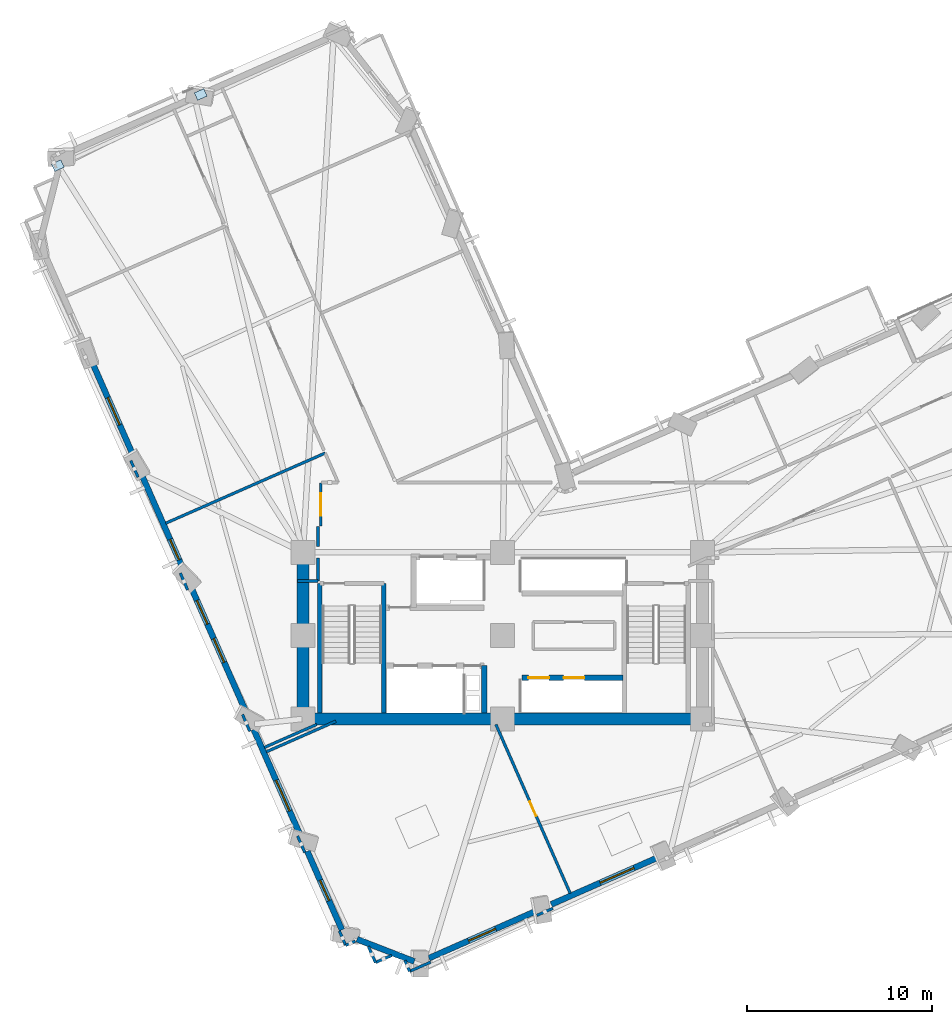
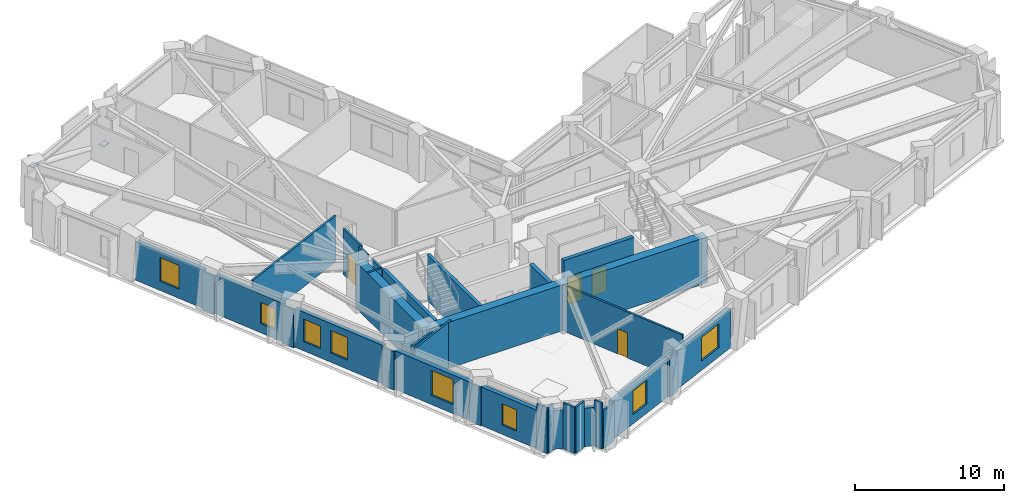
# One storey, part 7 of 15: 34 walls, 8 windows, 4 doors, 2 plates, 12 openings.
"""IFC4 building model written with IfcOpenShell, lengths in metres."""

import ifcopenshell
import ifcopenshell.guid

model = None  # the IFC model being written
_history = None  # IfcOwnerHistory: only IFC2X3 demands one
_inside = {}  # id of a spatial element -> (the spatial element, [elements in it])
_under = {}  # id of a project, library or spatial element -> (it, [spatial elements below it])
_declared = {}  # id of a project -> (the project, [libraries it declares])
_typed = {}  # id of a type object -> (the type object, [elements of that type])
_made_of = {}  # id of a material, layer set ... -> (it, [elements and type objects made of it])


def new_model(schema):
    """Start an empty IFC model of exactly this schema.

    Asked for "IFC4X3", IfcOpenShell would pick the latest addendum, in which some entities
    have other attributes; the version numbers below select the first issue.
    IFC2X3 requires an IfcOwnerHistory on every rooted entity: one is made here for all.
    """
    global model, _history
    if schema == "IFC4X3":
        model = ifcopenshell.file(schema_version=(4, 3, 0, 0))
    else:
        model = ifcopenshell.file(schema=schema)
    _inside.clear()
    _under.clear()
    _declared.clear()
    _typed.clear()
    _made_of.clear()
    _history = None
    if model.schema == "IFC2X3":
        org = make("IfcOrganization", Name="unknown")
        user = make(
            "IfcPersonAndOrganization",
            ThePerson=make("IfcPerson", FamilyName="unknown"),
            TheOrganization=org,
        )
        app = make(
            "IfcApplication",
            ApplicationDeveloper=org,
            Version="unknown",
            ApplicationFullName="unknown",
            ApplicationIdentifier="unknown",
        )
        _history = make(
            "IfcOwnerHistory",
            OwningUser=user,
            OwningApplication=app,
            ChangeAction="ADDED",
            CreationDate=0,
        )
    return model


def make(cls, **values):
    """One entity of the class cls with the attributes given. An attribute that is None is left unset."""
    return model.create_entity(
        cls, **{name: value for name, value in values.items() if value is not None}
    )


def rooted(cls, **values):
    """An entity with a GlobalId (a new one), such as an element, a storey or a relation."""
    return make(cls, GlobalId=ifcopenshell.guid.new(), OwnerHistory=_history, **values)


def si_unit(unit_type, name, prefix=None):
    """IfcSIUnit, for example si_unit("LENGTHUNIT", "METRE", prefix="MILLI")."""
    return make("IfcSIUnit", UnitType=unit_type, Prefix=prefix, Name=name)


def assignment(units):
    """IfcUnitAssignment: the units of a project."""
    return None if units is None else make("IfcUnitAssignment", Units=units)


def point(xyz):
    """IfcCartesianPoint."""
    return None if xyz is None else make("IfcCartesianPoint", Coordinates=xyz)


def direction(xyz):
    """IfcDirection."""
    return None if xyz is None else make("IfcDirection", DirectionRatios=xyz)


def frame(location, z_axis=None, x_axis=None):
    """IfcAxis2Placement3D, a coordinate frame: its origin and axes. An axis left out is left unset."""
    return make(
        "IfcAxis2Placement3D",
        Location=point(location),
        Axis=direction(z_axis),
        RefDirection=direction(x_axis),
    )


def frame_2d(location, x_axis=None):
    """IfcAxis2Placement2D, a coordinate frame in the plane: its origin and x axis."""
    return make(
        "IfcAxis2Placement2D", Location=point(location), RefDirection=direction(x_axis)
    )


def origin():
    """The frame at (0, 0, 0) with its axes left unset."""
    return frame((0.0, 0.0, 0.0))


def origin_2d():
    """The frame at (0, 0) in the plane with its x axis left unset."""
    return frame_2d((0.0, 0.0))


def place(relative_to, where):
    """IfcLocalPlacement: puts the frame where relative to a parent placement (None: the world)."""
    return make(
        "IfcLocalPlacement", PlacementRelTo=relative_to, RelativePlacement=where
    )


def context(
    kind, dimensions, precision=None, world=None, true_north=None, identifier=None
):
    """IfcGeometricRepresentationContext, for example the 3D "Model" context."""
    return make(
        "IfcGeometricRepresentationContext",
        ContextIdentifier=identifier,
        ContextType=kind,
        CoordinateSpaceDimension=dimensions,
        Precision=precision,
        WorldCoordinateSystem=world,
        TrueNorth=true_north,
    )


def subcontext(parent, identifier, kind, view, scale=None):
    """IfcGeometricRepresentationSubContext, for example "Body" below "Model"."""
    return make(
        "IfcGeometricRepresentationSubContext",
        ContextIdentifier=identifier,
        ContextType=kind,
        ParentContext=parent,
        TargetScale=scale,
        TargetView=view,
    )


def project(units=None, contexts=None):
    """IfcProject with its units and contexts."""
    return rooted(
        "IfcProject",
        Name="project",
        RepresentationContexts=contexts,
        UnitsInContext=assignment(units),
    )


def spatial(cls, under=None, at=None, **own):
    """A site, building, storey or space (cls), placed at a placement, below another one or the project."""
    s = rooted(cls, ObjectPlacement=at, **own)
    if under is not None:
        _under.setdefault(under.id(), (under, []))[1].append(s)
    return s


def profile(cls, at=None, kind="AREA", **sizes):
    """A parametric profile (cls). Its sizes go by their IFC names, for example OverallWidth=200.0."""
    return make(cls, ProfileType=kind, Position=at, **sizes)


def rectangle(**sizes):
    """IfcRectangleProfileDef."""
    return profile("IfcRectangleProfileDef", **sizes)


def extrude(swept, where, along, depth):
    """IfcExtrudedAreaSolid: the profile swept, set in the frame where, extruded along a direction by depth."""
    return make(
        "IfcExtrudedAreaSolid",
        SweptArea=swept,
        Position=where,
        ExtrudedDirection=direction(along),
        Depth=depth,
    )


def shape(context_of_items, identifier, shape_type, items):
    """IfcShapeRepresentation: the items that make up one representation, for example the "Body"."""
    return make(
        "IfcShapeRepresentation",
        ContextOfItems=context_of_items,
        RepresentationIdentifier=identifier,
        RepresentationType=shape_type,
        Items=items,
    )


def material(Name=None, Category=None):
    """IfcMaterial."""
    return make("IfcMaterial", Name=Name, Category=Category)


def layer(
    of_material, thickness, ventilated=None, Name=None, Category=None, Priority=None
):
    """IfcMaterialLayer: one layer of a wall or slab, of a material (None: an air gap)."""
    return make(
        "IfcMaterialLayer",
        Material=of_material,
        LayerThickness=thickness,
        IsVentilated=ventilated,
        Name=Name,
        Category=Category,
        Priority=Priority,
    )


def layer_set(layers, Name=None):
    """IfcMaterialLayerSet."""
    return make("IfcMaterialLayerSet", MaterialLayers=layers, LayerSetName=Name)


def made_of(thing, what):
    """Note that an element or type object is made of a material, layer set ...; save() writes the relation."""
    if what is not None:
        _made_of.setdefault(what.id(), (what, []))[1].append(thing)
    return thing


def type_object(cls, material=None, **own):
    """A type object (cls), such as IfcWallType, which elements share."""
    return made_of(rooted(cls, **own), material)


def element(
    cls,
    number,
    at=None,
    inside=None,
    cuts=None,
    type_object=None,
    material=None,
    context=None,
    identifier="Body",
    shape_type=None,
    held_by="IfcProductDefinitionShape",
    body=None,
    shapes=None,
    **own,
):
    """One element of the class cls, such as IfcWall. Its Tag is "e" and its number.

    at: its placement. inside: the storey or other place that contains it. cuts: it is an
    opening in that element (IfcRelVoidsElement). A single representation is given by context,
    identifier, shape_type and body (its items); several are given by shapes. held_by: the class
    of the entity that holds the representations. save() writes the other relations.
    """
    e = rooted(cls, Tag="e%d" % number, ObjectPlacement=at, **own)
    if body is not None:
        shapes = [shape(context, identifier, shape_type, body)]
    if shapes is not None:
        e.Representation = make(held_by, Representations=shapes)
    if inside is not None:
        _inside.setdefault(inside.id(), (inside, []))[1].append(e)
    if cuts is not None:
        rooted(
            "IfcRelVoidsElement", RelatingBuildingElement=cuts, RelatedOpeningElement=e
        )
    if type_object is not None:
        _typed.setdefault(type_object.id(), (type_object, []))[1].append(e)
    return made_of(e, material)


def fill(opening, filler):
    """IfcRelFillsElement: the door or window that sits in an opening."""
    return rooted(
        "IfcRelFillsElement",
        RelatingOpeningElement=opening,
        RelatedBuildingElement=filler,
    )


def aggregate(whole, parts):
    """IfcRelAggregates: a whole, such as a stair, and the parts it consists of."""
    return rooted("IfcRelAggregates", RelatingObject=whole, RelatedObjects=parts)


def save(model, path):
    """Write the relations noted so far, then the file.

    IfcRelAggregates (storeys below a building ...), IfcRelContainedInSpatialStructure (elements
    in a storey), IfcRelDefinesByType, IfcRelAssociatesMaterial and IfcRelDeclares: one each for
    every whole, place, type object, material and project.
    """
    for whole, parts in _under.values():
        aggregate(whole, parts)
    for where, things in _inside.values():
        rooted(
            "IfcRelContainedInSpatialStructure",
            RelatedElements=things,
            RelatingStructure=where,
        )
    for kind, things in _typed.values():
        rooted("IfcRelDefinesByType", RelatedObjects=things, RelatingType=kind)
    for what, things in _made_of.values():
        rooted("IfcRelAssociatesMaterial", RelatedObjects=things, RelatingMaterial=what)
    for by, libraries in _declared.values():
        rooted("IfcRelDeclares", RelatingContext=by, RelatedDefinitions=libraries)
    model.write(path)


model = new_model("IFC4")

# Units and contexts
model_context = context("Model", 3, precision=1e-05, world=origin(), true_north=direction((0.0, 1.0)))
body_context = subcontext(model_context, "Body", "Model", "MODEL_VIEW")
ifc_project = project(units=[si_unit("LENGTHUNIT", "METRE"), si_unit("AREAUNIT", "SQUARE_METRE"), si_unit("VOLUMEUNIT", "CUBIC_METRE"), si_unit("PLANEANGLEUNIT", "RADIAN"), si_unit("MASSUNIT", "GRAM", prefix="KILO")], contexts=[model_context])

# Site, building, storey
site_placement = place(None, origin())
site = spatial("IfcSite", under=ifc_project, at=site_placement, CompositionType="ELEMENT")
building_placement = place(site_placement, origin())
building = spatial("IfcBuilding", under=site, at=building_placement, Name="Gaonmaruhae Medical Tower", CompositionType="ELEMENT")
storey_placement = place(building_placement, frame((0.0, 0.0, 124.39990234375)))
storey = spatial("IfcBuildingStorey", under=building, at=storey_placement, Name="L29", CompositionType="ELEMENT", Elevation=124.39990234375)

# Plates
ifc_material_1 = material(Name="Steel HSA650 (650 MPa)", Category="steel")
ifc_layer_1 = layer(ifc_material_1, 0.028076171875)
ifc_layer_set_1 = layer_set([ifc_layer_1], Name="Steel HSA650 (650 MPa)")
plate_type = type_object("IfcPlateType", Name="GP-02 Tube Brace End Cap Gusset Plate", PredefinedType="USERDEFINED", material=ifc_layer_set_1)
for number, where, z_axis, x_axis, name in (
    (1, (8.476318359375, 41.550048828125, 0.23583984375), (0.0, 0.0, 1.0), (0.915311479119, 0.402746689859, 0.0), "L29 Gusset Cap Plate PLT-L29-PBR-N02A"),
    (2, (0.752197265625, 37.70458984375, 3.51611328125), (0.0, 0.0, 1.0), (0.908508177527, 0.417867073801, 0.0), "L29 Gusset Cap Plate PLT-L29-PBR-N02B"),
):
    element("IfcPlate", number, at=place(storey_placement, frame(where, z_axis=z_axis, x_axis=x_axis)), inside=storey, type_object=plate_type, Name=name, ObjectType="GUSSET_PLATE", PredefinedType="USERDEFINED", context=body_context, shape_type="SweptSolid", body=[
        extrude(rectangle(XDim=0.56005859375, YDim=0.43994140625, at=origin_2d()), origin(), (0.0, 0.0, 1.0), 0.028076171875),
    ])

# Walls
ifc_material_2 = material(Name="Concrete C60/75", Category="concrete")
ifc_layer_2 = layer(ifc_material_2, 0.64990234375)
ifc_layer_set_2 = layer_set([ifc_layer_2], Name="Concrete C60/75")
wall_type_1 = type_object("IfcWallType", Name="CW-650 Zone 2 Core Shear Wall", PredefinedType="SHEAR", material=ifc_layer_set_2)
for number, where, z_axis, x_axis, name in (
    (3, (14.0, 7.800048828125, 0.0), (0.0, 0.0, 1.0), (1.0, 0.0, 0.0), "L29 Core Shear Wall CSW-S1"),
    (4, (24.800048828125, 7.800048828125, 0.0), (0.0, 0.0, 1.0), (1.0, 0.0, 0.0), "L29 Core Shear Wall CSW-S2"),
):
    element("IfcWall", number, at=place(storey_placement, frame(where, z_axis=z_axis, x_axis=x_axis)), inside=storey, type_object=wall_type_1, Name=name, PredefinedType="SHEAR", context=body_context, shape_type="SweptSolid", body=[
        extrude(rectangle(XDim=10.800048828125, YDim=0.64990234375, at=frame_2d((5.39990234375, 0.0))), origin(), (0.0, 0.0, 1.0), 3.780029296875),
    ])
wall_1_placement = place(storey_placement, frame((14.0, 16.800048828125, 0.0), z_axis=(0.0, 0.0, 1.0), x_axis=(0.0, -1.0, 0.0)))
element("IfcWall", 5, at=wall_1_placement, inside=storey, type_object=wall_type_1, Name="L29 Core Shear Wall CSW-W1", PredefinedType="SHEAR", context=body_context, shape_type="SweptSolid", body=[
    extrude(rectangle(XDim=9.0, YDim=0.64990234375, at=frame_2d((4.5, 0.0))), origin(), (0.0, 0.0, 1.0), 3.780029296875),
])

# Wall, opening, window
ifc_material_3 = material(Name="Precast concrete C45/55", Category="concrete")
ifc_layer_3 = layer(ifc_material_3, 0.320068359375)
ifc_layer_set_3 = layer_set([ifc_layer_3], Name="Precast concrete C45/55")
wall_type_2 = type_object("IfcWallType", Name="EW-320 Lower Precast Masonry-Frame Facade Wall", PredefinedType="SOLIDWALL", material=ifc_layer_set_3)
wall_2_placement = place(storey_placement, frame((26.55224609375, -2.60986328125, 0.0), z_axis=(0.0, 0.0, 1.0), x_axis=(-0.915316180725, -0.402736004477, 0.0)))
wall_2 = element("IfcWall", 6, at=wall_2_placement, inside=storey, type_object=wall_type_2, Name="L29 Precast Masonry-Frame Wall S01-S02", PredefinedType="SOLIDWALL", context=body_context, shape_type="SweptSolid", body=[
    extrude(rectangle(XDim=6.27001953125, YDim=0.320068359375, at=frame_2d((3.135009765625, 0.0))), origin(), (0.0, 0.0, 1.0), 3.1650390625),
])
opening_1_placement = place(wall_2_placement, frame((2.329345703125, 0.0, 0.75)))
opening_1 = element("IfcOpeningElement", 7, at=opening_1_placement, cuts=wall_2, Name="Opening WN-01", PredefinedType="OPENING", context=body_context, shape_type="SweptSolid", body=[
    extrude(rectangle(XDim=1.60009765625, YDim=1.949951171875, at=frame_2d((0.800048828125, 0.97509765625))), frame((0.0, 0.169921875, 0.0), z_axis=(0.0, -1.0, 0.0), x_axis=(1.0, 0.0, 0.0)), (0.0, 0.0, 1.0), 0.340087890625),
])
ifc_material_4 = material(Name="Anodised aluminium and Low-E double glazing", Category="aluminium")
window_type_1 = type_object("IfcWindowType", Name="WN-01 Ward Punched Acoustic Window 1600x1950", PartitioningType="SINGLE_PANEL", PredefinedType="WINDOW", material=ifc_material_4)
window_1_placement = place(opening_1_placement, origin())
window_1 = element("IfcWindow", 8, at=window_1_placement, inside=storey, type_object=window_type_1, Name="L29 Modular Facade Window S01", OverallHeight=1.949951171875, OverallWidth=1.60009765625, PartitioningType="SINGLE_PANEL", PredefinedType="WINDOW", context=body_context, shape_type="SweptSolid", body=[
    extrude(rectangle(XDim=1.60009765625, YDim=1.949951171875, at=frame_2d((0.800048828125, 0.97509765625))), frame((0.0, 0.030029296875, 0.0), z_axis=(0.0, -1.0, 0.0), x_axis=(1.0, 0.0, 0.0)), (0.0, 0.0, 1.0), 0.06005859375),
])
fill(opening_1, window_1)

wall_3_placement = place(storey_placement, frame((33.12939453125, 0.2841796875, 0.0), z_axis=(0.0, 0.0, 1.0), x_axis=(-0.91531676475, -0.402734677136, 0.0)))
wall_3 = element("IfcWall", 9, at=wall_3_placement, inside=storey, type_object=wall_type_2, Name="L29 Precast Masonry-Frame Wall S02-S03", PredefinedType="SOLIDWALL", context=body_context, shape_type="SweptSolid", body=[
    extrude(rectangle(XDim=6.234130859375, YDim=0.320068359375, at=frame_2d((3.1171875, 0.0))), origin(), (0.0, 0.0, 1.0), 3.1650390625),
])
opening_2_placement = place(wall_3_placement, frame((1.344482421875, 0.0, 0.75)))
opening_2 = element("IfcOpeningElement", 10, at=opening_2_placement, cuts=wall_3, Name="Opening WN-02", PredefinedType="OPENING", context=body_context, shape_type="SweptSolid", body=[
    extrude(rectangle(XDim=2.0, YDim=1.949951171875, at=frame_2d((1.0, 0.97509765625))), frame((0.0, 0.169921875, 0.0), z_axis=(0.0, -1.0, 0.0), x_axis=(1.0, 0.0, 0.0)), (0.0, 0.0, 1.0), 0.340087890625),
])
window_type_2 = type_object("IfcWindowType", Name="WN-02 Double-Bed Ward Punched Window 2000x1950", PartitioningType="SINGLE_PANEL", PredefinedType="WINDOW", material=ifc_material_4)
window_2_placement = place(opening_2_placement, origin())
window_2 = element("IfcWindow", 11, at=window_2_placement, inside=storey, type_object=window_type_2, Name="L29 Modular Facade Window S02", OverallHeight=1.949951171875, OverallWidth=2.0, PartitioningType="SINGLE_PANEL", PredefinedType="WINDOW", context=body_context, shape_type="SweptSolid", body=[
    extrude(rectangle(XDim=2.0, YDim=1.949951171875, at=frame_2d((1.0, 0.97509765625))), frame((0.0, 0.030029296875, 0.0), z_axis=(0.0, -1.0, 0.0), x_axis=(1.0, 0.0, 0.0)), (0.0, 0.0, 1.0), 0.06005859375),
])
fill(opening_2, window_2)

wall_4_placement = place(storey_placement, frame((4.905029296875, 21.857177734375, 0.0), z_axis=(0.0, 0.0, 1.0), x_axis=(-0.402754606075, 0.91530799586, 0.0)))
wall_4 = element("IfcWall", 12, at=wall_4_placement, inside=storey, type_object=wall_type_2, Name="L29 Precast Masonry-Frame Wall W02-W03", PredefinedType="SOLIDWALL", context=body_context, shape_type="SweptSolid", body=[
    extrude(rectangle(XDim=5.627685546875, YDim=0.320068359375, at=frame_2d((2.81396484375, 0.0))), origin(), (0.0, 0.0, 1.0), 3.1650390625),
])
opening_3_placement = place(wall_4_placement, frame((2.01123046875, 0.0, 0.75)))
opening_3 = element("IfcOpeningElement", 13, at=opening_3_placement, cuts=wall_4, Name="Opening WN-01", PredefinedType="OPENING", context=body_context, shape_type="SweptSolid", body=[
    extrude(rectangle(XDim=1.60009765625, YDim=1.949951171875, at=frame_2d((0.800048828125, 0.97509765625))), frame((0.0, 0.169921875, 0.0), z_axis=(0.0, -1.0, 0.0), x_axis=(1.0, 0.0, 0.0)), (0.0, 0.0, 1.0), 0.340087890625),
])
window_3_placement = place(opening_3_placement, origin())
window_3 = element("IfcWindow", 14, at=window_3_placement, inside=storey, type_object=window_type_1, Name="L29 Modular Facade Window W02", OverallHeight=1.949951171875, OverallWidth=1.60009765625, PartitioningType="SINGLE_PANEL", PredefinedType="WINDOW", context=body_context, shape_type="SweptSolid", body=[
    extrude(rectangle(XDim=1.60009765625, YDim=1.949951171875, at=frame_2d((0.800048828125, 0.97509765625))), frame((0.0, 0.030029296875, 0.0), z_axis=(0.0, -1.0, 0.0), x_axis=(1.0, 0.0, 0.0)), (0.0, 0.0, 1.0), 0.06005859375),
])
fill(opening_3, window_3)

wall_5_placement = place(storey_placement, frame((7.581298828125, 15.775146484375, 0.0), z_axis=(0.0, 0.0, 1.0), x_axis=(-0.40276317854, 0.915304223749, 0.0)))
wall_5 = element("IfcWall", 15, at=wall_5_placement, inside=storey, type_object=wall_type_2, Name="L29 Precast Masonry-Frame Wall W03-W04", PredefinedType="SOLIDWALL", context=body_context, shape_type="SweptSolid", body=[
    extrude(rectangle(XDim=5.662109375, YDim=0.320068359375, at=frame_2d((2.8310546875, 0.0))), origin(), (0.0, 0.0, 1.0), 3.1650390625),
])
opening_4_placement = place(wall_5_placement, frame((0.685791015625, 0.0, 0.75)))
opening_4 = element("IfcOpeningElement", 16, at=opening_4_placement, cuts=wall_5, Name="Opening WN-05", PredefinedType="OPENING", context=body_context, shape_type="SweptSolid", body=[
    extrude(rectangle(XDim=1.199951171875, YDim=1.75, at=frame_2d((0.60009765625, 0.875))), frame((0.0, 0.169921875, 0.0), z_axis=(0.0, -1.0, 0.0), x_axis=(1.0, 0.0, 0.0)), (0.0, 0.0, 1.0), 0.340087890625),
])
window_type_3 = type_object("IfcWindowType", Name="WN-05 Support & Staff Punched Window 1200x1750", PartitioningType="SINGLE_PANEL", PredefinedType="WINDOW", material=ifc_material_4)
window_4_placement = place(opening_4_placement, origin())
window_4 = element("IfcWindow", 17, at=window_4_placement, inside=storey, type_object=window_type_3, Name="L29 Modular Facade Window W03", OverallHeight=1.75, OverallWidth=1.199951171875, PartitioningType="SINGLE_PANEL", PredefinedType="WINDOW", context=body_context, shape_type="SweptSolid", body=[
    extrude(rectangle(XDim=1.199951171875, YDim=1.75, at=frame_2d((0.60009765625, 0.875))), frame((0.0, 0.030029296875, 0.0), z_axis=(0.0, -1.0, 0.0), x_axis=(1.0, 0.0, 0.0)), (0.0, 0.0, 1.0), 0.06005859375),
])
fill(opening_4, window_4)

# Wall, openings, windows
wall_6_placement = place(storey_placement, frame((10.945068359375, 8.130126953125, 0.0), z_axis=(0.0, 0.0, 1.0), x_axis=(-0.402756399989, 0.915307206498, 0.0)))
wall_6 = element("IfcWall", 18, at=wall_6_placement, inside=storey, type_object=wall_type_2, Name="L29 Precast Masonry-Frame Wall W04-W05", PredefinedType="SOLIDWALL", context=body_context, shape_type="SweptSolid", body=[
    extrude(rectangle(XDim=7.360107421875, YDim=0.320068359375, at=frame_2d((3.68017578125, 0.0))), origin(), (0.0, 0.0, 1.0), 3.1650390625),
])
opening_5_placement = place(wall_6_placement, frame((2.980712890625, 0.0, 0.75)))
opening_5 = element("IfcOpeningElement", 19, at=opening_5_placement, cuts=wall_6, Name="Opening WN-03", PredefinedType="OPENING", context=body_context, shape_type="SweptSolid", body=[
    extrude(rectangle(XDim=1.39990234375, YDim=1.85009765625, at=frame_2d((0.699951171875, 0.925048828125))), frame((0.0, 0.169921875, 0.0), z_axis=(0.0, -1.0, 0.0), x_axis=(1.0, 0.0, 0.0)), (0.0, 0.0, 1.0), 0.340087890625),
])
opening_6_placement = place(wall_6_placement, frame((5.235595703125, 0.0, 0.75)))
opening_6 = element("IfcOpeningElement", 20, at=opening_6_placement, cuts=wall_6, Name="Opening WN-03", PredefinedType="OPENING", context=body_context, shape_type="SweptSolid", body=[
    extrude(rectangle(XDim=1.39990234375, YDim=1.85009765625, at=frame_2d((0.699951171875, 0.925048828125))), frame((0.0, 0.169921875, 0.0), z_axis=(0.0, -1.0, 0.0), x_axis=(1.0, 0.0, 0.0)), (0.0, 0.0, 1.0), 0.340087890625),
])
window_type_4 = type_object("IfcWindowType", Name="WN-03 Isolation Ward Punched Window 1400x1850", PartitioningType="SINGLE_PANEL", PredefinedType="WINDOW", material=ifc_material_4)
window_5_placement = place(opening_5_placement, origin())
window_5 = element("IfcWindow", 21, at=window_5_placement, inside=storey, type_object=window_type_4, Name="L29 Modular Facade Window W04", OverallHeight=1.85009765625, OverallWidth=1.39990234375, PartitioningType="SINGLE_PANEL", PredefinedType="WINDOW", context=body_context, shape_type="SweptSolid", body=[
    extrude(rectangle(XDim=1.39990234375, YDim=1.85009765625, at=frame_2d((0.699951171875, 0.925048828125))), frame((0.0, 0.030029296875, 0.0), z_axis=(0.0, -1.0, 0.0), x_axis=(1.0, 0.0, 0.0)), (0.0, 0.0, 1.0), 0.06005859375),
])
fill(opening_5, window_5)
window_6_placement = place(opening_6_placement, origin())
window_6 = element("IfcWindow", 22, at=window_6_placement, inside=storey, type_object=window_type_4, Name="L29 Modular Facade Window W04B", OverallHeight=1.85009765625, OverallWidth=1.39990234375, PartitioningType="SINGLE_PANEL", PredefinedType="WINDOW", context=body_context, shape_type="SweptSolid", body=[
    extrude(rectangle(XDim=1.39990234375, YDim=1.85009765625, at=frame_2d((0.699951171875, 0.925048828125))), frame((0.0, 0.030029296875, 0.0), z_axis=(0.0, -1.0, 0.0), x_axis=(1.0, 0.0, 0.0)), (0.0, 0.0, 1.0), 0.06005859375),
])
fill(opening_6, window_6)

# Wall, opening, window
wall_7_placement = place(storey_placement, frame((13.848876953125, 1.531005859375, 0.0), z_axis=(0.0, 0.0, 1.0), x_axis=(-0.402768851229, 0.915301727563, 0.0)))
wall_7 = element("IfcWall", 23, at=wall_7_placement, inside=storey, type_object=wall_type_2, Name="L29 Precast Masonry-Frame Wall W05-W06", PredefinedType="SOLIDWALL", context=body_context, shape_type="SweptSolid", body=[
    extrude(rectangle(XDim=6.223388671875, YDim=0.320068359375, at=frame_2d((3.11181640625, 0.0))), origin(), (0.0, 0.0, 1.0), 3.1650390625),
])
opening_7_placement = place(wall_7_placement, frame((1.420166015625, 0.0, 0.75)))
opening_7 = element("IfcOpeningElement", 24, at=opening_7_placement, cuts=wall_7, Name="Opening WN-04", PredefinedType="OPENING", context=body_context, shape_type="SweptSolid", body=[
    extrude(rectangle(XDim=1.800048828125, YDim=2.050048828125, at=frame_2d((0.89990234375, 1.02490234375))), frame((0.0, 0.169921875, 0.0), z_axis=(0.0, -1.0, 0.0), x_axis=(1.0, 0.0, 0.0)), (0.0, 0.0, 1.0), 0.340087890625),
])
window_type_5 = type_object("IfcWindowType", Name="WN-04 Clinic & Consult Punched Window 1800x2050", PartitioningType="SINGLE_PANEL", PredefinedType="WINDOW", material=ifc_material_4)
window_7_placement = place(opening_7_placement, origin())
window_7 = element("IfcWindow", 25, at=window_7_placement, inside=storey, type_object=window_type_5, Name="L29 Modular Facade Window W05", OverallHeight=2.050048828125, OverallWidth=1.800048828125, PartitioningType="SINGLE_PANEL", PredefinedType="WINDOW", context=body_context, shape_type="SweptSolid", body=[
    extrude(rectangle(XDim=1.800048828125, YDim=2.050048828125, at=frame_2d((0.89990234375, 1.02490234375))), frame((0.0, 0.030029296875, 0.0), z_axis=(0.0, -1.0, 0.0), x_axis=(1.0, 0.0, 0.0)), (0.0, 0.0, 1.0), 0.06005859375),
])
fill(opening_7, window_7)

wall_8_placement = place(storey_placement, frame((16.109619140625, -3.606689453125, 0.0), z_axis=(0.0, 0.0, 1.0), x_axis=(-0.402777345327, 0.915297989778, 0.0)))
wall_8 = element("IfcWall", 26, at=wall_8_placement, inside=storey, type_object=wall_type_2, Name="L29 Precast Masonry-Frame Wall W06-W07", PredefinedType="SOLIDWALL", context=body_context, shape_type="SweptSolid", body=[
    extrude(rectangle(XDim=4.647216796875, YDim=0.320068359375, at=frame_2d((2.32373046875, 0.0))), origin(), (0.0, 0.0, 1.0), 3.1650390625),
])
opening_8_placement = place(wall_8_placement, frame((1.72705078125, 0.0, 0.75)))
opening_8 = element("IfcOpeningElement", 27, at=opening_8_placement, cuts=wall_8, Name="Opening WN-05", PredefinedType="OPENING", context=body_context, shape_type="SweptSolid", body=[
    extrude(rectangle(XDim=1.199951171875, YDim=1.75, at=frame_2d((0.60009765625, 0.875))), frame((0.0, 0.169921875, 0.0), z_axis=(0.0, -1.0, 0.0), x_axis=(1.0, 0.0, 0.0)), (0.0, 0.0, 1.0), 0.340087890625),
])
window_8_placement = place(opening_8_placement, origin())
window_8 = element("IfcWindow", 28, at=window_8_placement, inside=storey, type_object=window_type_3, Name="L29 Modular Facade Window W06", OverallHeight=1.75, OverallWidth=1.199951171875, PartitioningType="SINGLE_PANEL", PredefinedType="WINDOW", context=body_context, shape_type="SweptSolid", body=[
    extrude(rectangle(XDim=1.199951171875, YDim=1.75, at=frame_2d((0.60009765625, 0.875))), frame((0.0, 0.030029296875, 0.0), z_axis=(0.0, -1.0, 0.0), x_axis=(1.0, 0.0, 0.0)), (0.0, 0.0, 1.0), 0.06005859375),
])
fill(opening_8, window_8)

# Walls
wall_9_placement = place(storey_placement, frame((20.02001953125, -5.31201171875, 0.0), z_axis=(0.0, 0.0, 1.0), x_axis=(-0.932006050386, 0.362442715534, 0.0)))
element("IfcWall", 29, at=wall_9_placement, inside=storey, type_object=wall_type_2, Name="L29 Precast Masonry-Frame Wall W07-S01", PredefinedType="SOLIDWALL", context=body_context, shape_type="SweptSolid", body=[
    extrude(rectangle(XDim=3.32275390625, YDim=0.320068359375, at=frame_2d((1.661376953125, 0.0))), origin(), (0.0, 0.0, 1.0), 3.1650390625),
])
ifc_material_5 = material(Name="Gypsum board partition", Category="gypsum")
ifc_layer_4 = layer(ifc_material_5, 0.14990234375)
ifc_layer_set_4 = layer_set([ifc_layer_4], Name="Gypsum board partition")
wall_type_3 = type_object("IfcWallType", Name="PW-150 Rated Clinical Corridor Partition", PredefinedType="PARTITIONING", material=ifc_layer_set_4)
wall_10_placement = place(storey_placement, frame((17.923095703125, -5.368896484375, 0.0), z_axis=(0.0, 0.0, 1.0), x_axis=(-0.402474131984, 0.915431359023, 0.0)))
element("IfcWall", 30, at=wall_10_placement, inside=storey, type_object=wall_type_3, Name="L29 Interior Partition L29-SUP01-5", PredefinedType="PARTITIONING", context=body_context, shape_type="SweptSolid", body=[
    extrude(rectangle(XDim=0.958984375, YDim=0.14990234375, at=frame_2d((0.4794921875, 0.0))), origin(), (0.0, 0.0, 1.0), 3.780029296875),
])
wall_11_placement = place(storey_placement, frame((16.833984375, -4.208984375, 0.0), z_axis=(0.0, 0.0, 1.0), x_axis=(-0.915112954786, -0.403197569415, 0.0)))
element("IfcWall", 31, at=wall_11_placement, inside=storey, type_object=wall_type_3, Name="L29 Interior Partition L29-SUP01-6", PredefinedType="PARTITIONING", context=body_context, shape_type="SweptSolid", body=[
    extrude(rectangle(XDim=0.5703125, YDim=0.14990234375, at=frame_2d((0.28515625, 0.0))), origin(), (0.0, 0.0, 1.0), 3.780029296875),
])
wall_12_placement = place(storey_placement, frame((16.31201171875, -4.43896484375, 0.0), z_axis=(0.0, 0.0, 1.0), x_axis=(-0.403155625456, 0.915131434092, 0.0)))
element("IfcWall", 32, at=wall_12_placement, inside=storey, type_object=wall_type_3, Name="L29 Interior Partition L29-SUP01-7", PredefinedType="PARTITIONING", context=body_context, shape_type="SweptSolid", body=[
    extrude(rectangle(XDim=0.843505859375, YDim=0.14990234375, at=frame_2d((0.421875, 0.0))), origin(), (0.0, 0.0, 1.0), 3.780029296875),
])
wall_13_placement = place(storey_placement, frame((14.10107421875, 0.5869140625, 0.0), z_axis=(0.0, 0.0, 1.0), x_axis=(-0.402899547762, 0.915244204796, 0.0)))
element("IfcWall", 33, at=wall_13_placement, inside=storey, type_object=wall_type_3, Name="L29 Interior Partition L29-SUP01-8", PredefinedType="PARTITIONING", context=body_context, shape_type="SweptSolid", body=[
    extrude(rectangle(XDim=0.9658203125, YDim=0.14990234375, at=frame_2d((0.48291015625, 0.0))), origin(), (0.0, 0.0, 1.0), 3.1650390625),
])
wall_14_placement = place(storey_placement, frame((12.02197265625, 6.01904296875, 0.0), z_axis=(0.0, 0.0, 1.0), x_axis=(0.915325537468, 0.402714738318, 0.0)))
element("IfcWall", 34, at=wall_14_placement, inside=storey, type_object=wall_type_3, Name="L29 Interior Partition L29-SUP01-9", PredefinedType="PARTITIONING", context=body_context, shape_type="SweptSolid", body=[
    extrude(rectangle(XDim=4.112060546875, YDim=0.14990234375, at=frame_2d((2.05615234375, 0.0))), origin(), (0.0, 0.0, 1.0), 3.780029296875),
])

# Wall, opening, door
wall_15_placement = place(storey_placement, frame((24.430908203125, 7.5, 0.0), z_axis=(0.0, 0.0, 1.0), x_axis=(0.402805885954, -0.915285429929, 0.0)))
wall_15 = element("IfcWall", 35, at=wall_15_placement, inside=storey, type_object=wall_type_3, Name="L29 Interior Partition L29-SUP01-10", PredefinedType="PARTITIONING", context=body_context, shape_type="SweptSolid", body=[
    extrude(rectangle(XDim=9.97265625, YDim=0.14990234375, at=frame_2d((4.986328125, 0.0))), origin(), (0.0, 0.0, 1.0), 3.780029296875),
])
opening_9_placement = place(wall_15_placement, frame((4.556396484375, 0.0, 0.0)))
opening_9 = element("IfcOpeningElement", 36, at=opening_9_placement, cuts=wall_15, Name="Opening AD-01", PredefinedType="OPENING", context=body_context, shape_type="SweptSolid", body=[
    extrude(rectangle(XDim=0.860107421875, YDim=2.06005859375, at=frame_2d((0.43017578125, 1.030029296875))), frame((0.0, 0.0849609375, 0.0), z_axis=(0.0, -1.0, 0.0), x_axis=(1.0, 0.0, 0.0)), (0.0, 0.0, 1.0), 0.169921875),
])
ifc_material_6 = material(Name="Powder-coated steel access door", Category="steel")
door_type_1 = type_object("IfcDoorType", Name="AD-01 Riser & Closet Access Fire Door 860x2060", OperationType="NOTDEFINED", PredefinedType="DOOR", material=ifc_material_6)
door_1_placement = place(opening_9_placement, origin())
door_1 = element("IfcDoor", 37, at=door_1_placement, inside=storey, type_object=door_type_1, Name="L29 Clinical Biomedical Charting Office Sliding Door", OperationType="SLIDING_TO_LEFT", OverallHeight=2.06005859375, OverallWidth=0.860107421875, PredefinedType="DOOR", context=body_context, shape_type="SweptSolid", body=[
    extrude(rectangle(XDim=0.860107421875, YDim=2.06005859375, at=frame_2d((0.43017578125, 1.030029296875))), frame((0.0, 0.02490234375, 0.0), z_axis=(0.0, -1.0, 0.0), x_axis=(1.0, 0.0, 0.0)), (0.0, 0.0, 1.0), 0.050048828125),
])
fill(opening_9, door_1)

# Walls
wall_16_placement = place(storey_placement, frame((27.51611328125, -2.43701171875, 0.0), z_axis=(0.0, 0.0, 1.0), x_axis=(-0.91540202097, -0.402540855074, 0.0)))
element("IfcWall", 38, at=wall_16_placement, inside=storey, type_object=wall_type_3, Name="L29 Interior Partition L29-SUP01-11", PredefinedType="PARTITIONING", context=body_context, shape_type="SweptSolid", body=[
    extrude(rectangle(XDim=0.95166015625, YDim=0.14990234375, at=frame_2d((0.475830078125, 0.0))), origin(), (0.0, 0.0, 1.0), 3.1650390625),
])
wall_17_placement = place(storey_placement, frame((20.906005859375, -5.345947265625, 0.0), z_axis=(0.0, 0.0, 1.0), x_axis=(-0.915428231905, -0.402481244572, 0.0)))
element("IfcWall", 39, at=wall_17_placement, inside=storey, type_object=wall_type_3, Name="L29 Interior Partition L29-SUP01-12", PredefinedType="PARTITIONING", context=body_context, shape_type="SweptSolid", body=[
    extrude(rectangle(XDim=1.23974609375, YDim=0.14990234375, at=frame_2d((0.619873046875, 0.0))), origin(), (0.0, 0.0, 1.0), 3.1650390625),
])
wall_18_placement = place(storey_placement, frame((19.77099609375, -5.844970703125, 0.0), z_axis=(0.0, 0.0, 1.0), x_axis=(-0.402341632179, 0.915489601806, 0.0)))
element("IfcWall", 40, at=wall_18_placement, inside=storey, type_object=wall_type_3, Name="L29 Interior Partition L29-SUP01-13", PredefinedType="PARTITIONING", context=body_context, shape_type="SweptSolid", body=[
    extrude(rectangle(XDim=0.638916015625, YDim=0.14990234375, at=frame_2d((0.3193359375, 0.0))), origin(), (0.0, 0.0, 1.0), 3.780029296875),
])
wall_19_placement = place(storey_placement, frame((18.801025390625, -4.98291015625, 0.0), z_axis=(0.0, 0.0, 1.0), x_axis=(-0.915431359023, -0.402474131984, 0.0)))
element("IfcWall", 41, at=wall_19_placement, inside=storey, type_object=wall_type_3, Name="L29 Interior Partition L29-SUP01-14", PredefinedType="PARTITIONING", context=body_context, shape_type="SweptSolid", body=[
    extrude(rectangle(XDim=0.958984375, YDim=0.14990234375, at=frame_2d((0.4794921875, 0.0))), origin(), (0.0, 0.0, 1.0), 3.780029296875),
])

# Wall, opening, door
wall_20_placement = place(storey_placement, frame((14.969970703125, 20.550048828125, 0.0), z_axis=(0.0, 0.0, 1.0), x_axis=(0.0, -1.0, 0.0)))
wall_20 = element("IfcWall", 42, at=wall_20_placement, inside=storey, type_object=wall_type_3, Name="L29 Interior Partition L29-WOF05-34", PredefinedType="PARTITIONING", context=body_context, shape_type="SweptSolid", body=[
    extrude(rectangle(XDim=2.320068359375, YDim=0.14990234375, at=frame_2d((1.16015625, 0.0))), origin(), (0.0, 0.0, 1.0), 3.780029296875),
])
opening_10_placement = place(wall_20_placement, frame((0.56005859375, 0.0, 0.0)))
opening_10 = element("IfcOpeningElement", 43, at=opening_10_placement, cuts=wall_20, Name="Opening CD-02", PredefinedType="OPENING", context=body_context, shape_type="SweptSolid", body=[
    extrude(rectangle(XDim=1.199951171875, YDim=2.14990234375, at=frame_2d((0.60009765625, 1.074951171875))), frame((0.0, 0.0849609375, 0.0), z_axis=(0.0, -1.0, 0.0), x_axis=(1.0, 0.0, 0.0)), (0.0, 0.0, 1.0), 0.169921875),
])
ifc_material_7 = material(Name="Antimicrobial laminate timber fire door", Category="wood")
door_type_2 = type_object("IfcDoorType", Name="CD-02 Clinical Treatment & Procedure Door 1200x2150", OperationType="NOTDEFINED", PredefinedType="DOOR", material=ifc_material_7)
door_2_placement = place(opening_10_placement, origin())
door_2 = element("IfcDoor", 44, at=door_2_placement, inside=storey, type_object=door_type_2, Name="L29 Ward Physician Reporting Office Door", OperationType="SINGLE_SWING_RIGHT", OverallHeight=2.14990234375, OverallWidth=1.199951171875, PredefinedType="DOOR", context=body_context, shape_type="SweptSolid", body=[
    extrude(rectangle(XDim=1.199951171875, YDim=2.14990234375, at=frame_2d((0.60009765625, 1.074951171875))), frame((0.0, 0.02490234375, 0.0), z_axis=(0.0, -1.0, 0.0), x_axis=(1.0, 0.0, 0.0)), (0.0, 0.0, 1.0), 0.050048828125),
])
fill(opening_10, door_2)

# Walls
wall_21_placement = place(storey_placement, frame((14.820068359375, 18.199951171875, 0.0), z_axis=(0.0, 0.0, 1.0), x_axis=(0.0, -1.0, 0.0)))
element("IfcWall", 45, at=wall_21_placement, inside=storey, type_object=wall_type_3, Name="L29 Interior Partition L29-WOF05-35", PredefinedType="PARTITIONING", context=body_context, shape_type="SweptSolid", body=[
    extrude(rectangle(XDim=1.091064453125, YDim=0.14990234375, at=frame_2d((0.54541015625, 0.0))), origin(), (0.0, 0.0, 1.0), 3.780029296875),
])
wall_22_placement = place(storey_placement, frame((14.820068359375, 16.490966796875, 0.0), z_axis=(0.0, 0.0, 1.0), x_axis=(0.0, -1.0, 0.0)))
element("IfcWall", 46, at=wall_22_placement, inside=storey, type_object=wall_type_3, Name="L29 Interior Partition L29-WOF05-36", PredefinedType="PARTITIONING", context=body_context, shape_type="SweptSolid", body=[
    extrude(rectangle(XDim=1.23095703125, YDim=0.14990234375, at=frame_2d((0.615478515625, 0.0))), origin(), (0.0, 0.0, 1.0), 3.780029296875),
])
wall_23_placement = place(storey_placement, frame((14.820068359375, 15.260009765625, 0.0), z_axis=(0.0, 0.0, 1.0), x_axis=(-1.0, 0.0, 0.0)))
element("IfcWall", 47, at=wall_23_placement, inside=storey, type_object=wall_type_3, Name="L29 Interior Partition L29-WOF05-37", PredefinedType="PARTITIONING", context=body_context, shape_type="SweptSolid", body=[
    extrude(rectangle(XDim=1.1201171875, YDim=0.14990234375, at=frame_2d((0.56005859375, 0.0))), origin(), (0.0, 0.0, 1.0), 3.780029296875),
])
wall_24_placement = place(storey_placement, frame((14.741943359375, 7.5, 0.0), z_axis=(0.0, 0.0, 1.0), x_axis=(-0.915322030836, -0.402722708408, 0.0)))
element("IfcWall", 48, at=wall_24_placement, inside=storey, type_object=wall_type_3, Name="L29 Interior Partition L29-WOF05-38", PredefinedType="PARTITIONING", context=body_context, shape_type="SweptSolid", body=[
    extrude(rectangle(XDim=3.086181640625, YDim=0.14990234375, at=frame_2d((1.54296875, 0.0))), origin(), (0.0, 0.0, 1.0), 3.780029296875),
])
wall_25_placement = place(storey_placement, frame((11.132080078125, 7.135009765625, 0.0), z_axis=(0.0, 0.0, 1.0), x_axis=(-0.402415129889, 0.915457297331, 0.0)))
element("IfcWall", 49, at=wall_25_placement, inside=storey, type_object=wall_type_3, Name="L29 Interior Partition L29-WOF05-39", PredefinedType="PARTITIONING", context=body_context, shape_type="SweptSolid", body=[
    extrude(rectangle(XDim=0.986572265625, YDim=0.14990234375, at=frame_2d((0.4931640625, 0.0))), origin(), (0.0, 0.0, 1.0), 3.1650390625),
])
wall_26_placement = place(storey_placement, frame((7.77001953125, 14.77392578125, 0.0), z_axis=(0.0, 0.0, 1.0), x_axis=(-0.402251814951, 0.915529069647, 0.0)))
element("IfcWall", 50, at=wall_26_placement, inside=storey, type_object=wall_type_3, Name="L29 Interior Partition L29-WOF05-40", PredefinedType="PARTITIONING", context=body_context, shape_type="SweptSolid", body=[
    extrude(rectangle(XDim=0.99169921875, YDim=0.14990234375, at=frame_2d((0.495849609375, 0.0))), origin(), (0.0, 0.0, 1.0), 3.1650390625),
])
wall_27_placement = place(storey_placement, frame((6.583984375, 18.3759765625, 0.0), z_axis=(0.0, 0.0, 1.0), x_axis=(0.915349059645, 0.402661270806, 0.0)))
element("IfcWall", 51, at=wall_27_placement, inside=storey, type_object=wall_type_3, Name="L29 Interior Partition L29-WOF05-41", PredefinedType="PARTITIONING", context=body_context, shape_type="SweptSolid", body=[
    extrude(rectangle(XDim=9.414794921875, YDim=0.14990234375, at=frame_2d((4.70751953125, 0.0))), origin(), (0.0, 0.0, 1.0), 3.780029296875),
])
wall_28_placement = place(storey_placement, frame((5.090087890625, 20.864990234375, 0.0), z_axis=(0.0, 0.0, 1.0), x_axis=(-0.401939262857, 0.915666330589, 0.0)))
element("IfcWall", 52, at=wall_28_placement, inside=storey, type_object=wall_type_3, Name="L29 Interior Partition L29-WOF06-46", PredefinedType="PARTITIONING", context=body_context, shape_type="SweptSolid", body=[
    extrude(rectangle(XDim=0.982666015625, YDim=0.14990234375, at=frame_2d((0.4912109375, 0.0))), origin(), (0.0, 0.0, 1.0), 3.1650390625),
])
ifc_material_8 = material(Name="Concrete C50/60", Category="concrete")
ifc_layer_5 = layer(ifc_material_8, 0.239990234375)
ifc_layer_set_5 = layer_set([ifc_layer_5], Name="Concrete C50/60")
wall_type_4 = type_object("IfcWallType", Name="SW-240 Dogleg Stair Tight Shaft Wall", PredefinedType="SOLIDWALL", material=ifc_layer_set_5)
for number, where, z_axis, x_axis, name in (
    (53, (18.3798828125, 15.1201171875, 0.0), (0.0, 0.0, 1.0), (0.0, -1.0, 0.0), "L29 ST-01 Stair Shaft Wall SHW-ST-01-E"),
    (54, (14.919921875, 8.125, 0.0), (0.0, 0.0, 1.0), (0.0, 1.0, 0.0), "L29 ST-01 Stair Shaft Wall SHW-ST-01-W"),
):
    element("IfcWall", number, at=place(storey_placement, frame(where, z_axis=z_axis, x_axis=x_axis)), inside=storey, type_object=wall_type_4, Name=name, PredefinedType="SOLIDWALL", context=body_context, shape_type="SweptSolid", body=[
        extrude(rectangle(XDim=6.9951171875, YDim=0.239990234375, at=frame_2d((3.49755859375, 0.0))), origin(), (0.0, 0.0, 1.0), 3.780029296875),
    ])
ifc_layer_6 = layer(ifc_material_8, 0.300048828125)
ifc_layer_set_6 = layer_set([ifc_layer_6], Name="Concrete C50/60")
wall_type_5 = type_object("IfcWallType", Name="SW-300 Stair & Lift Hoistway Shaft Wall", PredefinedType="SOLIDWALL", material=ifc_layer_set_6)
wall_29_placement = place(storey_placement, frame((23.800048828125, 8.125, 0.0), z_axis=(0.0, 0.0, 1.0), x_axis=(0.0, 1.0, 0.0)))
element("IfcWall", 55, at=wall_29_placement, inside=storey, type_object=wall_type_5, Name="L29 Shaft Enclosure Wall SHW-FFE", PredefinedType="SOLIDWALL", context=body_context, shape_type="SweptSolid", body=[
    extrude(rectangle(XDim=2.554931640625, YDim=0.300048828125, at=frame_2d((1.27734375, 0.0))), origin(), (0.0, 0.0, 1.0), 3.780029296875),
])

# Wall, openings, doors
wall_30_placement = place(storey_placement, frame((25.85009765625, 10.02001953125, 0.0), z_axis=(0.0, 0.0, 1.0), x_axis=(1.0, 0.0, 0.0)))
wall_30 = element("IfcWall", 56, at=wall_30_placement, inside=storey, type_object=wall_type_5, Name="L29 Shaft Enclosure Wall SHW-PLS", PredefinedType="SOLIDWALL", context=body_context, shape_type="SweptSolid", body=[
    extrude(rectangle(XDim=5.449951171875, YDim=0.300048828125, at=frame_2d((2.72509765625, 0.0))), origin(), (0.0, 0.0, 1.0), 3.780029296875),
])
opening_11_placement = place(wall_30_placement, frame((0.340087890625, 0.0, 0.0)))
opening_11 = element("IfcOpeningElement", 57, at=opening_11_placement, cuts=wall_30, Name="Opening LD-P1", PredefinedType="OPENING", context=body_context, shape_type="SweptSolid", body=[
    extrude(rectangle(XDim=1.1201171875, YDim=2.14990234375, at=frame_2d((0.56005859375, 1.074951171875))), frame((0.0, 0.16015625, 0.0), z_axis=(0.0, -1.0, 0.0), x_axis=(1.0, 0.0, 0.0)), (0.0, 0.0, 1.0), 0.320068359375),
])
opening_12_placement = place(wall_30_placement, frame((2.239990234375, 0.0, 0.0)))
opening_12 = element("IfcOpeningElement", 58, at=opening_12_placement, cuts=wall_30, Name="Opening LD-P1", PredefinedType="OPENING", context=body_context, shape_type="SweptSolid", body=[
    extrude(rectangle(XDim=1.1201171875, YDim=2.14990234375, at=frame_2d((0.56005859375, 1.074951171875))), frame((0.0, 0.16015625, 0.0), z_axis=(0.0, -1.0, 0.0), x_axis=(1.0, 0.0, 0.0)), (0.0, 0.0, 1.0), 0.320068359375),
])
ifc_material_9 = material(Name="Brushed stainless steel 304 landing door", Category="steel")
door_type_3 = type_object("IfcDoorType", Name="LD-P1 Passenger Lift Sliding Landing Door 1120x2150", OperationType="NOTDEFINED", PredefinedType="DOOR", material=ifc_material_9)
door_3_placement = place(opening_11_placement, origin())
door_3 = element("IfcDoor", 59, at=door_3_placement, inside=storey, type_object=door_type_3, Name="L29 Passenger Lift Landing Door PL-L1", OperationType="DOUBLE_DOOR_SLIDING", OverallHeight=2.14990234375, OverallWidth=1.1201171875, PredefinedType="DOOR", context=body_context, shape_type="SweptSolid", body=[
    extrude(rectangle(XDim=1.1201171875, YDim=2.14990234375, at=frame_2d((0.56005859375, 1.074951171875))), frame((0.0, 0.02490234375, 0.0), z_axis=(0.0, -1.0, 0.0), x_axis=(1.0, 0.0, 0.0)), (0.0, 0.0, 1.0), 0.050048828125),
])
fill(opening_11, door_3)
door_4_placement = place(opening_12_placement, origin())
door_4 = element("IfcDoor", 60, at=door_4_placement, inside=storey, type_object=door_type_3, Name="L29 Passenger Lift Landing Door PL-L2", OperationType="DOUBLE_DOOR_SLIDING", OverallHeight=2.14990234375, OverallWidth=1.1201171875, PredefinedType="DOOR", context=body_context, shape_type="SweptSolid", body=[
    extrude(rectangle(XDim=1.1201171875, YDim=2.14990234375, at=frame_2d((0.56005859375, 1.074951171875))), frame((0.0, 0.02490234375, 0.0), z_axis=(0.0, -1.0, 0.0), x_axis=(1.0, 0.0, 0.0)), (0.0, 0.0, 1.0), 0.050048828125),
])
fill(opening_12, door_4)

save(model, "model.ifc")
